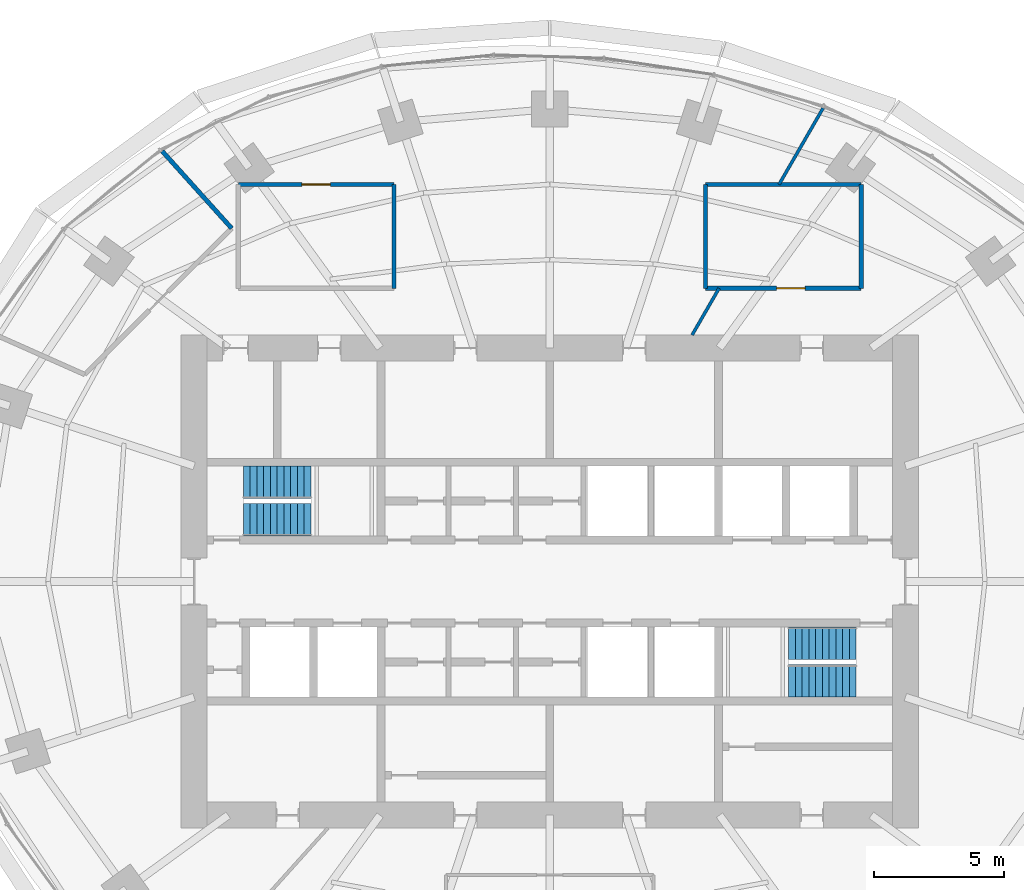
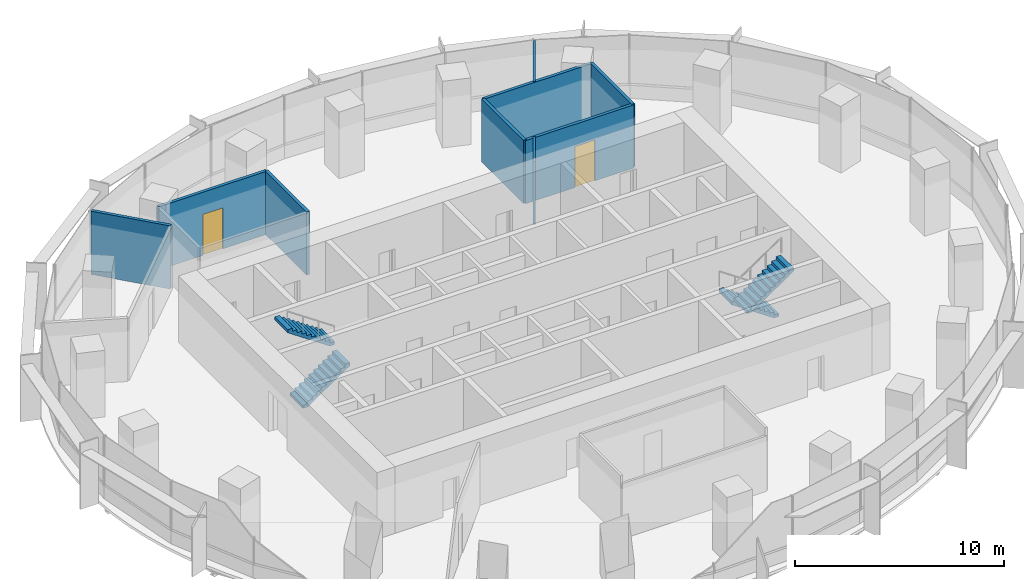
# One storey, part 12 of 14: 9 walls, 4 stair flights, 2 doors, 2 openings, 2 elements without a shape of their own.
"""IFC4 building model written with IfcOpenShell, lengths in metres."""

from ifc_helpers import new_model, si_unit, direction, frame, frame_2d, origin, place, context, subcontext, project, spatial, polyline, rectangle, outline, extrude, material, layer, layer_set, type_object, element, fill, aggregate, save


model = new_model("IFC4")

# Units and contexts
model_context = context("Model", 3, precision=1e-05, world=origin(), true_north=direction((0.0, 1.0)))
body_context = subcontext(model_context, "Body", "Model", "MODEL_VIEW")
ifc_project = project(units=[si_unit("LENGTHUNIT", "METRE"), si_unit("AREAUNIT", "SQUARE_METRE"), si_unit("VOLUMEUNIT", "CUBIC_METRE"), si_unit("PLANEANGLEUNIT", "RADIAN"), si_unit("MASSUNIT", "GRAM", prefix="KILO")], contexts=[model_context])

# Site, building, storey
site_placement = place(None, origin())
site = spatial("IfcSite", under=ifc_project, at=site_placement, CompositionType="ELEMENT")
building_placement = place(site_placement, origin())
building = spatial("IfcBuilding", under=site, at=building_placement, Name="Marramba Exchange Tower", CompositionType="ELEMENT")
storey_placement = place(building_placement, frame((0.0, 0.0, 242.300048828125)))
storey = spatial("IfcBuildingStorey", under=building, at=storey_placement, Name="L59", CompositionType="ELEMENT", Elevation=242.300048828125)

# Wall
ifc_material_1 = material(Name="Plasterboard on staggered double steel studs, acoustic insulation", Category="steel")
ifc_layer_1 = layer(ifc_material_1, 0.169921875)
ifc_layer_set_1 = layer_set([ifc_layer_1], Name="Acoustic partition 170")
wall_type_1 = type_object("IfcWallType", Name="Acoustic partition 170", PredefinedType="PARTITIONING", material=ifc_layer_set_1)
wall_1_placement = place(storey_placement, frame((12.0, 11.300048828125, 0.0), z_axis=(0.0, 0.0, 1.0), x_axis=(0.0, 1.0, 0.0)))
element("IfcWall", 1, at=wall_1_placement, inside=storey, type_object=wall_type_1, Name="Acoustic partition L59 06", PredefinedType="PARTITIONING", context=body_context, shape_type="SweptSolid", body=[
    extrude(rectangle(XDim=4.0, YDim=0.169921875, at=frame_2d((2.0, 0.0))), origin(), (0.0, 0.0, 1.0), 3.699951171875),
])

# Wall, opening, door
wall_2_placement = place(storey_placement, frame((6.0, 11.300048828125, 0.0), z_axis=(0.0, 0.0, 1.0), x_axis=(1.0, 0.0, 0.0)))
wall_2 = element("IfcWall", 2, at=wall_2_placement, inside=storey, type_object=wall_type_1, Name="Acoustic partition L59 07", PredefinedType="PARTITIONING", context=body_context, shape_type="SweptSolid", body=[
    extrude(rectangle(XDim=6.0, YDim=0.169921875, at=frame_2d((3.0, 0.0))), origin(), (0.0, 0.0, 1.0), 3.699951171875),
])
opening_1_placement = place(wall_2_placement, frame((2.737060546875, 0.0, 0.0)))
opening_1 = element("IfcOpeningElement", 3, at=opening_1_placement, cuts=wall_2, Name="Opening D15", PredefinedType="OPENING", context=body_context, shape_type="SweptSolid", body=[
    extrude(rectangle(XDim=1.10009765625, YDim=2.39990234375, at=frame_2d((0.550048828125, 1.199951171875))), frame((0.0, 0.094970703125, 0.0), z_axis=(0.0, -1.0, 0.0), x_axis=(1.0, 0.0, 0.0)), (0.0, 0.0, 1.0), 0.18994140625),
])
ifc_material_2 = material(Name="Timber door", Category="wood")
door_type = type_object("IfcDoorType", Name="Glazed meeting room door 1100x2400", OperationType="SINGLE_SWING_LEFT", PredefinedType="DOOR", material=ifc_material_2)
door_1_placement = place(opening_1_placement, origin())
door_1 = element("IfcDoor", 4, at=door_1_placement, inside=storey, type_object=door_type, Name="D15 Meeting Room 2 L59", OperationType="SINGLE_SWING_RIGHT", OverallHeight=2.39990234375, OverallWidth=1.10009765625, PredefinedType="DOOR", context=body_context, shape_type="SweptSolid", body=[
    extrude(rectangle(XDim=1.10009765625, YDim=2.39990234375, at=frame_2d((0.550048828125, 1.199951171875))), frame((0.0, 0.02490234375, 0.0), z_axis=(0.0, -1.0, 0.0), x_axis=(1.0, 0.0, 0.0)), (0.0, 0.0, 1.0), 0.050048828125),
])
fill(opening_1, door_1)

# Walls
wall_3_placement = place(storey_placement, frame((12.0, 15.300048828125, 0.0), z_axis=(0.0, 0.0, 1.0), x_axis=(-1.0, 0.0, 0.0)))
element("IfcWall", 5, at=wall_3_placement, inside=storey, type_object=wall_type_1, Name="Acoustic partition L59 08", PredefinedType="PARTITIONING", context=body_context, shape_type="SweptSolid", body=[
    extrude(rectangle(XDim=6.0, YDim=0.169921875, at=frame_2d((3.0, 0.0))), origin(), (0.0, 0.0, 1.0), 3.699951171875),
])
for number, where, z_axis, x_axis, name in (
    (6, (6.0, 15.300048828125, 0.0), (0.0, 0.0, 1.0), (0.0, -1.0, 0.0), "Acoustic partition L59 11"),
    (7, (-6.0, 15.300048828125, 0.0), (0.0, 0.0, 1.0), (0.0, -1.0, 0.0), "Acoustic partition L59 12"),
):
    element("IfcWall", number, at=place(storey_placement, frame(where, z_axis=z_axis, x_axis=x_axis)), inside=storey, type_object=wall_type_1, Name=name, PredefinedType="PARTITIONING", context=body_context, shape_type="SweptSolid", body=[
        extrude(rectangle(XDim=4.0, YDim=0.169921875, at=frame_2d((2.0, 0.0))), origin(), (0.0, 0.0, 1.0), 3.699951171875),
    ])

# Wall, opening, door
wall_4_placement = place(storey_placement, frame((-12.0, 15.300048828125, 0.0), z_axis=(0.0, 0.0, 1.0), x_axis=(1.0, 0.0, 0.0)))
wall_4 = element("IfcWall", 8, at=wall_4_placement, inside=storey, type_object=wall_type_1, Name="Acoustic partition L59 13", PredefinedType="PARTITIONING", context=body_context, shape_type="SweptSolid", body=[
    extrude(rectangle(XDim=6.0, YDim=0.169921875, at=frame_2d((3.0, 0.0))), origin(), (0.0, 0.0, 1.0), 3.699951171875),
])
opening_2_placement = place(wall_4_placement, frame((2.449951171875, 0.0, 0.0)))
opening_2 = element("IfcOpeningElement", 9, at=opening_2_placement, cuts=wall_4, Name="Opening D15", PredefinedType="OPENING", context=body_context, shape_type="SweptSolid", body=[
    extrude(rectangle(XDim=1.10009765625, YDim=2.39990234375, at=frame_2d((0.550048828125, 1.199951171875))), frame((0.0, 0.094970703125, 0.0), z_axis=(0.0, -1.0, 0.0), x_axis=(1.0, 0.0, 0.0)), (0.0, 0.0, 1.0), 0.18994140625),
])
door_2_placement = place(opening_2_placement, frame((1.10009765625, 0.0, 0.0), z_axis=(0.0, 0.0, 1.0), x_axis=(-1.0, 0.0, 0.0)))
door_2 = element("IfcDoor", 10, at=door_2_placement, inside=storey, type_object=door_type, Name="D15 Meeting Room 1 L59", OperationType="SINGLE_SWING_RIGHT", OverallHeight=2.39990234375, OverallWidth=1.10009765625, PredefinedType="DOOR", context=body_context, shape_type="SweptSolid", body=[
    extrude(rectangle(XDim=1.10009765625, YDim=2.39990234375, at=frame_2d((0.550048828125, 1.199951171875))), frame((0.0, 0.025146484375, 0.0), z_axis=(0.0, -1.0, 0.0), x_axis=(1.0, 0.0, 0.0)), (0.0, 0.0, 1.0), 0.050048828125),
])
fill(opening_2, door_2)

# Walls
wall_5_placement = place(storey_placement, frame((-12.2548828125, 13.6103515625, 0.0), z_axis=(0.0, 0.0, 1.0), x_axis=(-0.669119832037, 0.743154526579, 0.0)))
element("IfcWall", 11, at=wall_5_placement, inside=storey, type_object=wall_type_1, Name="Acoustic partition L59 15", PredefinedType="PARTITIONING", context=body_context, shape_type="SweptSolid", body=[
    extrude(rectangle(XDim=4.0, YDim=0.169921875, at=frame_2d((2.0, 0.0))), origin(), (0.0, 0.0, 1.0), 3.699951171875),
])
ifc_material_3 = material(Name="Plasterboard on steel studs", Category="steel")
ifc_layer_2 = layer(ifc_material_3, 0.1201171875)
ifc_layer_set_2 = layer_set([ifc_layer_2], Name="Partition 120")
wall_type_2 = type_object("IfcWallType", Name="Partition 120", PredefinedType="PARTITIONING", material=ifc_layer_set_2)
wall_6_placement = place(storey_placement, frame((8.83349609375, 15.300048828125, 0.0), z_axis=(0.0, 0.0, 1.0), x_axis=(0.499983401189, 0.8660349869, 0.0)))
element("IfcWall", 12, at=wall_6_placement, inside=storey, type_object=wall_type_2, Name="Partition L59 09", PredefinedType="PARTITIONING", context=body_context, shape_type="SweptSolid", body=[
    extrude(rectangle(XDim=3.4013671875, YDim=0.1201171875, at=frame_2d((1.70068359375, 0.0))), origin(), (0.0, 0.0, 1.0), 3.699951171875),
])
wall_7_placement = place(storey_placement, frame((5.48486328125, 9.5, 0.0), z_axis=(0.0, 0.0, 1.0), x_axis=(0.499929208183, 0.866066271601, 0.0)))
element("IfcWall", 13, at=wall_7_placement, inside=storey, type_object=wall_type_2, Name="Partition L59 10", PredefinedType="PARTITIONING", context=body_context, shape_type="SweptSolid", body=[
    extrude(rectangle(XDim=2.078369140625, YDim=0.1201171875, at=frame_2d((1.0390625, 0.0))), origin(), (0.0, 0.0, 1.0), 3.699951171875),
])

# Stair, stair flights
ifc_material_4 = material(Name="Concrete N40 (40 MPa)", Category="concrete")
stair_type_1 = type_object("IfcStairType", Name="Exit stair ST1 3900 x 1250", PredefinedType="HALF_TURN_STAIR", material=ifc_material_4)
stair_1_placement = place(storey_placement, origin())
stair_1 = element("IfcStair", 14, at=stair_1_placement, inside=storey, type_object=stair_type_1, Name="Exit stair ST1 L59", PredefinedType="HALF_TURN_STAIR")
stair_flight_type_1 = type_object("IfcStairFlightType", Name="ST1 stair flight 1773 riser 1250 wide", PredefinedType="STRAIGHT", material=ifc_material_4)
stair_flight_1_placement = place(storey_placement, frame((-11.800048828125, 2.375, 0.0), z_axis=(0.0, 0.0, 1.0), x_axis=(1.0, 0.0, 0.0)))
stair_flight_1 = element("IfcStairFlight", 15, at=stair_flight_1_placement, type_object=stair_flight_type_1, Name="ST1 flight 1", NumberOfRisers=11, NumberOfTreads=10, PredefinedType="STRAIGHT", RiserHeight=0.177272727, TreadLength=0.26, context=body_context, shape_type="SweptSolid", body=[
    extrude(outline(polyline([(0.0, 0.0), (0.0, 0.17724609375), (0.260009765625, 0.17724609375), (0.260009765625, 0.3544921875), (0.52001953125, 0.3544921875), (0.52001953125, 0.53173828125), (0.780029296875, 0.53173828125), (0.780029296875, 0.708984375), (1.0400390625, 0.708984375), (1.0400390625, 0.886474609375), (1.300048828125, 0.886474609375), (1.300048828125, 1.063720703125), (1.56005859375, 1.063720703125), (1.56005859375, 1.240966796875), (1.820068359375, 1.240966796875), (1.820068359375, 1.418212890625), (2.080078125, 1.418212890625), (2.080078125, 1.595458984375), (2.340087890625, 1.595458984375), (2.340087890625, 1.772705078125), (2.60009765625, 1.772705078125), (2.60009765625, 1.949951171875), (2.60009765625, 1.59130859375), (0.26611328125, 0.0), (0.0, 0.0)])), frame((0.0, 0.625, 0.0), z_axis=(0.0, -1.0, 0.0), x_axis=(1.0, 0.0, 0.0)), (0.0, 0.0, 1.0), 1.25),
])
stair_flight_2_placement = place(storey_placement, frame((-9.199951171875, 3.824951171875, 1.949951171875), z_axis=(0.0, 0.0, 1.0), x_axis=(-1.0, 0.0, 0.0)))
stair_flight_2 = element("IfcStairFlight", 16, at=stair_flight_2_placement, type_object=stair_flight_type_1, Name="ST1 flight 2", NumberOfRisers=11, NumberOfTreads=10, PredefinedType="STRAIGHT", RiserHeight=0.177272727, TreadLength=0.26, context=body_context, shape_type="SweptSolid", body=[
    extrude(outline(polyline([(0.0, 0.0), (0.0, 0.17724609375), (0.260009765625, 0.17724609375), (0.260009765625, 0.3544921875), (0.52001953125, 0.3544921875), (0.52001953125, 0.53173828125), (0.780029296875, 0.53173828125), (0.780029296875, 0.708984375), (1.0400390625, 0.708984375), (1.0400390625, 0.886474609375), (1.300048828125, 0.886474609375), (1.300048828125, 1.063720703125), (1.56005859375, 1.063720703125), (1.56005859375, 1.240966796875), (1.820068359375, 1.240966796875), (1.820068359375, 1.418212890625), (2.080078125, 1.418212890625), (2.080078125, 1.595458984375), (2.340087890625, 1.595458984375), (2.340087890625, 1.772705078125), (2.60009765625, 1.772705078125), (2.60009765625, 1.949951171875), (2.60009765625, 1.59130859375), (0.26611328125, 0.0), (0.0, 0.0)])), frame((0.0, 0.625, 0.0), z_axis=(0.0, -1.0, 0.0), x_axis=(1.0, 0.0, 0.0)), (0.0, 0.0, 1.0), 1.25),
])
aggregate(stair_1, [stair_flight_1, stair_flight_2])

stair_type_2 = type_object("IfcStairType", Name="Exit stair ST2 3900 x 1250", PredefinedType="HALF_TURN_STAIR", material=ifc_material_4)
stair_2_placement = place(storey_placement, origin())
stair_2 = element("IfcStair", 17, at=stair_2_placement, inside=storey, type_object=stair_type_2, Name="Exit stair ST2 L59", PredefinedType="HALF_TURN_STAIR")
stair_flight_type_2 = type_object("IfcStairFlightType", Name="ST2 stair flight 1773 riser 1250 wide", PredefinedType="STRAIGHT", material=ifc_material_4)
stair_flight_3_placement = place(storey_placement, frame((11.800048828125, -2.375, 0.0), z_axis=(0.0, 0.0, 1.0), x_axis=(-1.0, 0.0, 0.0)))
stair_flight_3 = element("IfcStairFlight", 18, at=stair_flight_3_placement, type_object=stair_flight_type_2, Name="ST2 flight 1", NumberOfRisers=11, NumberOfTreads=10, PredefinedType="STRAIGHT", RiserHeight=0.177272727, TreadLength=0.26, context=body_context, shape_type="SweptSolid", body=[
    extrude(outline(polyline([(0.0, 0.0), (0.0, 0.17724609375), (0.260009765625, 0.17724609375), (0.260009765625, 0.3544921875), (0.52001953125, 0.3544921875), (0.52001953125, 0.53173828125), (0.780029296875, 0.53173828125), (0.780029296875, 0.708984375), (1.0400390625, 0.708984375), (1.0400390625, 0.886474609375), (1.300048828125, 0.886474609375), (1.300048828125, 1.063720703125), (1.56005859375, 1.063720703125), (1.56005859375, 1.240966796875), (1.820068359375, 1.240966796875), (1.820068359375, 1.418212890625), (2.080078125, 1.418212890625), (2.080078125, 1.595458984375), (2.340087890625, 1.595458984375), (2.340087890625, 1.772705078125), (2.60009765625, 1.772705078125), (2.60009765625, 1.949951171875), (2.60009765625, 1.59130859375), (0.26611328125, 0.0), (0.0, 0.0)])), frame((0.0, 0.625, 0.0), z_axis=(0.0, -1.0, 0.0), x_axis=(1.0, 0.0, 0.0)), (0.0, 0.0, 1.0), 1.25),
])
stair_flight_4_placement = place(storey_placement, frame((9.199951171875, -3.824951171875, 1.949951171875), z_axis=(0.0, 0.0, 1.0), x_axis=(1.0, 0.0, 0.0)))
stair_flight_4 = element("IfcStairFlight", 19, at=stair_flight_4_placement, type_object=stair_flight_type_2, Name="ST2 flight 2", NumberOfRisers=11, NumberOfTreads=10, PredefinedType="STRAIGHT", RiserHeight=0.177272727, TreadLength=0.26, context=body_context, shape_type="SweptSolid", body=[
    extrude(outline(polyline([(0.0, 0.0), (0.0, 0.17724609375), (0.260009765625, 0.17724609375), (0.260009765625, 0.3544921875), (0.52001953125, 0.3544921875), (0.52001953125, 0.53173828125), (0.780029296875, 0.53173828125), (0.780029296875, 0.708984375), (1.0400390625, 0.708984375), (1.0400390625, 0.886474609375), (1.300048828125, 0.886474609375), (1.300048828125, 1.063720703125), (1.56005859375, 1.063720703125), (1.56005859375, 1.240966796875), (1.820068359375, 1.240966796875), (1.820068359375, 1.418212890625), (2.080078125, 1.418212890625), (2.080078125, 1.595458984375), (2.340087890625, 1.595458984375), (2.340087890625, 1.772705078125), (2.60009765625, 1.772705078125), (2.60009765625, 1.949951171875), (2.60009765625, 1.59130859375), (0.26611328125, 0.0), (0.0, 0.0)])), frame((0.0, 0.625, 0.0), z_axis=(0.0, -1.0, 0.0), x_axis=(1.0, 0.0, 0.0)), (0.0, 0.0, 1.0), 1.25),
])
aggregate(stair_2, [stair_flight_3, stair_flight_4])

save(model, "model.ifc")
